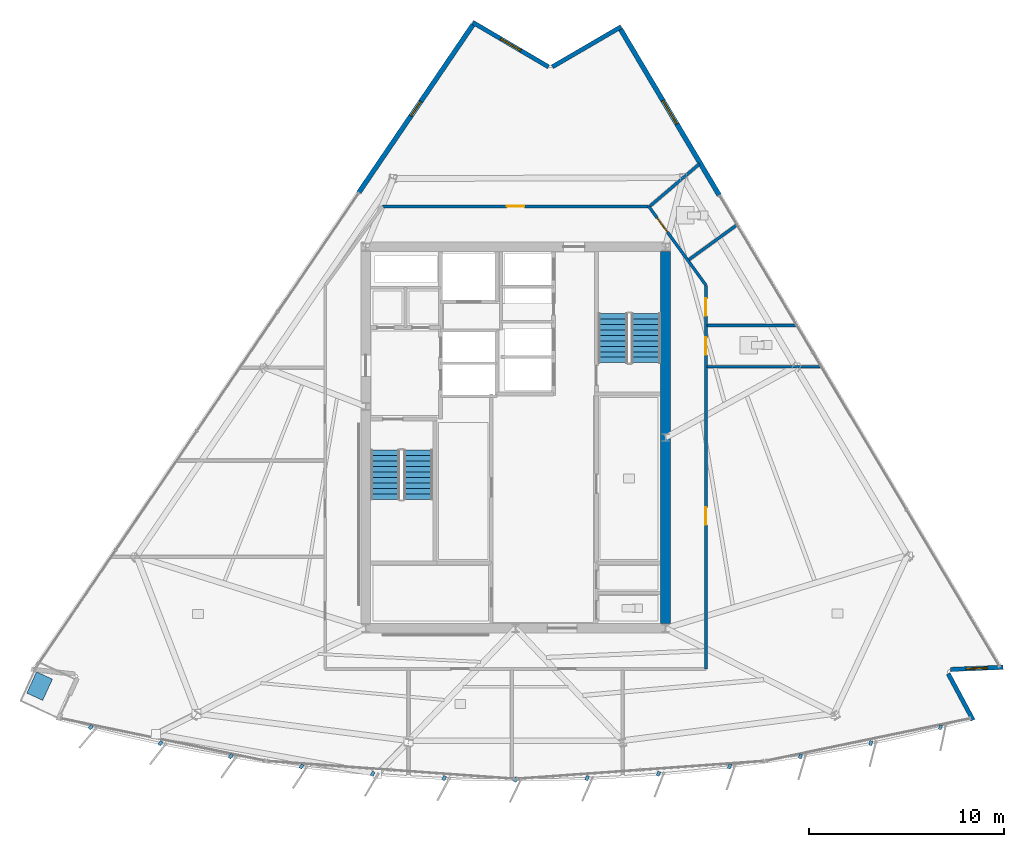
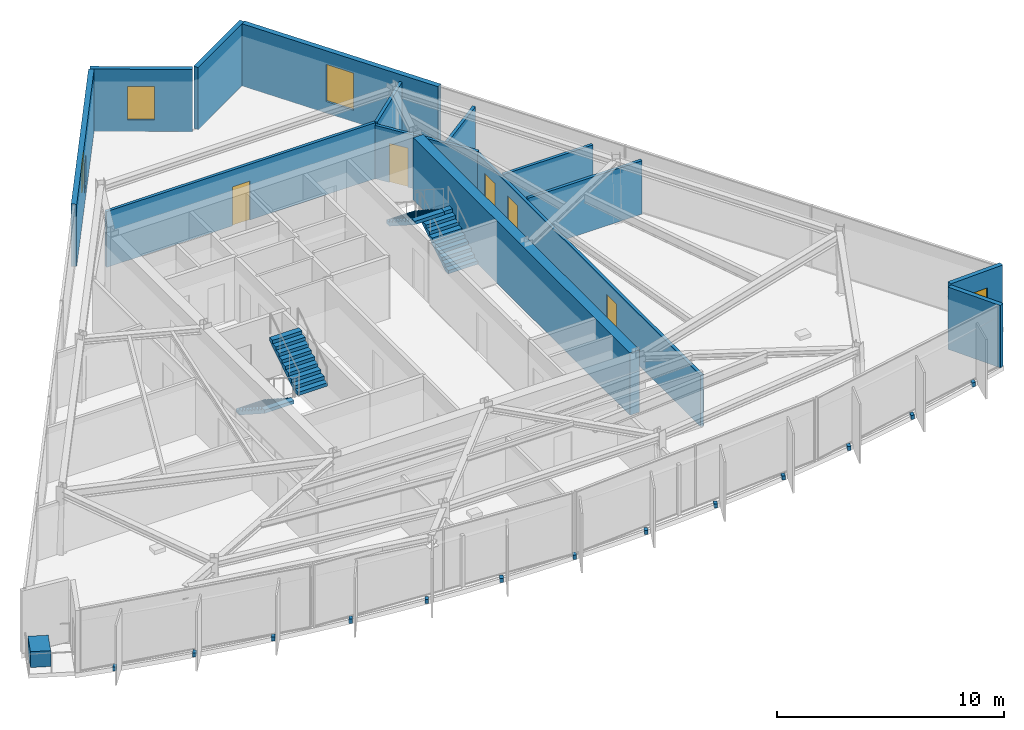
# One storey, part 8 of 13: 14 discrete accessories, 14 walls, 5 doors, 4 stair flights, 4 windows, 9 openings, 2 elements without a shape of their own.
"""IFC4 building model written with IfcOpenShell, lengths in metres."""

from ifc_helpers import new_model, si_unit, direction, frame, frame_2d, origin, origin_2d, place, context, subcontext, project, spatial, polyline, rectangle, outline, extrude, material, layer, layer_set, type_object, element, fill, aggregate, save


model = new_model("IFC4")

# Units and contexts
model_context = context("Model", 3, precision=1e-05, world=origin(), true_north=direction((0.0, 1.0)))
body_context = subcontext(model_context, "Body", "Model", "MODEL_VIEW")
ifc_project = project(units=[si_unit("LENGTHUNIT", "METRE"), si_unit("AREAUNIT", "SQUARE_METRE"), si_unit("VOLUMEUNIT", "CUBIC_METRE"), si_unit("PLANEANGLEUNIT", "RADIAN"), si_unit("MASSUNIT", "GRAM", prefix="KILO")], contexts=[model_context])

# Site, building, storey
site_placement = place(None, origin())
site = spatial("IfcSite", under=ifc_project, at=site_placement, CompositionType="ELEMENT")
building_placement = place(site_placement, origin())
building = spatial("IfcBuilding", under=site, at=building_placement, Name="Savorim Split Tower", CompositionType="ELEMENT")
storey_placement = place(building_placement, frame((0.0, 0.0, 223.5)))
storey = spatial("IfcBuildingStorey", under=building, at=storey_placement, Name="L59", CompositionType="ELEMENT", Elevation=223.5)

# Walls
ifc_material_1 = material(Name="Concrete C60/75", Category="concrete")
ifc_layer_1 = layer(ifc_material_1, 0.5)
ifc_layer_set_1 = layer_set([ifc_layer_1], Name="WAL-COR-SH500")
wall_type_1 = type_object("IfcWallType", Name="WAL-COR-SH500", PredefinedType="SHEAR", material=ifc_layer_set_1)
wall_1_placement = place(storey_placement, frame((7.699951171875, 9.949951171875, 0.0), z_axis=(0.0, 0.0, 1.0), x_axis=(0.0, -1.0, 0.0)))
element("IfcWall", 1, at=wall_1_placement, inside=storey, type_object=wall_type_1, Name="L59 Offset Core East Shear Wall", PredefinedType="SHEAR", context=body_context, shape_type="SweptSolid", body=[
    extrude(rectangle(XDim=19.099853515625, YDim=0.5, at=frame_2d((9.5498046875, 0.0))), origin(), (0.0, 0.0, 1.0), 3.35009765625),
])
ifc_material_2 = material(Name="Precast concrete C40/50", Category="concrete")
ifc_layer_2 = layer(ifc_material_2, 0.219970703125)
ifc_layer_set_2 = layer_set([ifc_layer_2], Name="WAL-EXT-CRN220")
wall_type_2 = type_object("IfcWallType", Name="WAL-EXT-CRN220", PredefinedType="SOLIDWALL", material=ifc_layer_set_2)
wall_2_placement = place(storey_placement, frame((22.22412109375, -11.72705078125, 0.0), z_axis=(0.0, 0.0, 1.0), x_axis=(0.47278184311, -0.881179509989, 0.0)))
element("IfcWall", 2, at=wall_2_placement, inside=storey, type_object=wall_type_2, Name="L59 Notched Corner Facade Wall SE1", PredefinedType="SOLIDWALL", context=body_context, shape_type="SweptSolid", body=[
    extrude(rectangle(XDim=2.70751953125, YDim=0.219970703125, at=frame_2d((1.353759765625, 0.0))), origin(), (0.0, 0.0, 1.0), 3.35009765625),
])

# Wall, opening, window
wall_3_placement = place(storey_placement, frame((25.048095703125, -11.3984375, 0.0), z_axis=(0.0, 0.0, 1.0), x_axis=(-0.999095922254, -0.042512799655, 0.0)))
wall_3 = element("IfcWall", 3, at=wall_3_placement, inside=storey, type_object=wall_type_2, Name="L59 Notched Corner Facade Wall SE", PredefinedType="SOLIDWALL", context=body_context, shape_type="SweptSolid", body=[
    extrude(rectangle(XDim=2.704833984375, YDim=0.219970703125, at=frame_2d((1.3525390625, 0.0))), origin(), (0.0, 0.0, 1.0), 3.35009765625),
])
opening_1_placement = place(wall_3_placement, frame((0.802490234375, 0.0, 0.6201171875)))
opening_1 = element("IfcOpeningElement", 4, at=opening_1_placement, cuts=wall_3, Name="Opening WN-09", PredefinedType="OPENING", context=body_context, shape_type="SweptSolid", body=[
    extrude(rectangle(XDim=1.10009765625, YDim=1.800048828125, at=frame_2d((0.550048828125, 0.89990234375))), frame((0.0, 0.119873046875, 0.0), z_axis=(0.0, -1.0, 0.0), x_axis=(1.0, 0.0, 0.0)), (0.0, 0.0, 1.0), 0.239990234375),
])
ifc_material_3 = material(Name="Low-E Operable Double Glazing", Category="glass")
window_type_1 = type_object("IfcWindowType", Name="WIN-TWR-1100x1800", PartitioningType="SINGLE_PANEL", PredefinedType="WINDOW", material=ifc_material_3)
window_1_placement = place(opening_1_placement, origin())
window_1 = element("IfcWindow", 5, at=window_1_placement, inside=storey, type_object=window_type_1, Name="L59 Operable Corner Window SE", OverallHeight=1.800048828125, OverallWidth=1.10009765625, PartitioningType="SINGLE_PANEL", PredefinedType="WINDOW", context=body_context, shape_type="SweptSolid", body=[
    extrude(rectangle(XDim=1.10009765625, YDim=1.800048828125, at=frame_2d((0.550048828125, 0.89990234375))), frame((0.0, 0.030029296875, 0.0), z_axis=(0.0, -1.0, 0.0), x_axis=(1.0, 0.0, 0.0)), (0.0, 0.0, 1.0), 0.06005859375),
])
fill(opening_1, window_1)

# Wall
wall_4_placement = place(storey_placement, frame((1.8837890625, 19.445068359375, 0.0), z_axis=(0.0, 0.0, 1.0), x_axis=(0.863969645804, 0.50354389196, 0.0)))
element("IfcWall", 6, at=wall_4_placement, inside=storey, type_object=wall_type_2, Name="L59 Notched Corner Facade Wall NE1", PredefinedType="SOLIDWALL", context=body_context, shape_type="SweptSolid", body=[
    extrude(rectangle(XDim=4.083740234375, YDim=0.219970703125, at=frame_2d((2.0419921875, 0.0))), origin(), (0.0, 0.0, 1.0), 3.35009765625),
])

# Wall, opening, window
wall_5_placement = place(storey_placement, frame((-2.196533203125, 21.731689453125, 0.0), z_axis=(0.0, 0.0, 1.0), x_axis=(0.862121926844, -0.506700881442, 0.0)))
wall_5 = element("IfcWall", 7, at=wall_5_placement, inside=storey, type_object=wall_type_2, Name="L59 Notched Corner Facade Wall N", PredefinedType="SOLIDWALL", context=body_context, shape_type="SweptSolid", body=[
    extrude(rectangle(XDim=4.51220703125, YDim=0.219970703125, at=frame_2d((2.256103515625, 0.0))), origin(), (0.0, 0.0, 1.0), 3.35009765625),
])
opening_2_placement = place(wall_5_placement, frame((1.656005859375, 0.0, 0.6201171875)))
opening_2 = element("IfcOpeningElement", 8, at=opening_2_placement, cuts=wall_5, Name="Opening WN-08", PredefinedType="OPENING", context=body_context, shape_type="SweptSolid", body=[
    extrude(rectangle(XDim=1.199951171875, YDim=1.800048828125, at=frame_2d((0.60009765625, 0.89990234375))), frame((0.0, 0.119873046875, 0.0), z_axis=(0.0, -1.0, 0.0), x_axis=(1.0, 0.0, 0.0)), (0.0, 0.0, 1.0), 0.239990234375),
])
window_type_2 = type_object("IfcWindowType", Name="WIN-TWR-1200x1800", PartitioningType="SINGLE_PANEL", PredefinedType="WINDOW", material=ifc_material_3)
window_2_placement = place(opening_2_placement, origin())
window_2 = element("IfcWindow", 9, at=window_2_placement, inside=storey, type_object=window_type_2, Name="L59 Operable Corner Window N", OverallHeight=1.800048828125, OverallWidth=1.199951171875, PartitioningType="SINGLE_PANEL", PredefinedType="WINDOW", context=body_context, shape_type="SweptSolid", body=[
    extrude(rectangle(XDim=1.199951171875, YDim=1.800048828125, at=frame_2d((0.60009765625, 0.89990234375))), frame((0.0, 0.030029296875, 0.0), z_axis=(0.0, -1.0, 0.0), x_axis=(1.0, 0.0, 0.0)), (0.0, 0.0, 1.0), 0.06005859375),
])
fill(opening_2, window_2)

ifc_layer_3 = layer(ifc_material_2, 0.25)
ifc_layer_set_3 = layer_set([ifc_layer_3], Name="WAL-EXT-SPN250")
wall_type_3 = type_object("IfcWallType", Name="WAL-EXT-SPN250", PredefinedType="SOLIDWALL", material=ifc_layer_set_3)
wall_6_placement = place(storey_placement, frame((5.3955078125, 21.374755859375, 0.0), z_axis=(0.0, 0.0, 1.0), x_axis=(0.511082771111, -0.85953150092, 0.0)))
wall_6 = element("IfcWall", 10, at=wall_6_placement, inside=storey, type_object=wall_type_3, Name="L59 East Operable Window Pier", PredefinedType="SOLIDWALL", context=body_context, shape_type="SweptSolid", body=[
    extrude(rectangle(XDim=9.91064453125, YDim=0.25, at=frame_2d((4.955322265625, 0.0))), origin(), (0.0, 0.0, 1.0), 3.35009765625),
])
opening_3_placement = place(wall_6_placement, frame((4.25537109375, 0.0, 0.6201171875)))
opening_3 = element("IfcOpeningElement", 11, at=opening_3_placement, cuts=wall_6, Name="Opening WN-07", PredefinedType="OPENING", context=body_context, shape_type="SweptSolid", body=[
    extrude(rectangle(XDim=1.39990234375, YDim=2.0, at=frame_2d((0.699951171875, 1.0))), frame((0.0, 0.135009765625, 0.0), z_axis=(0.0, -1.0, 0.0), x_axis=(1.0, 0.0, 0.0)), (0.0, 0.0, 1.0), 0.27001953125),
])
window_type_3 = type_object("IfcWindowType", Name="WIN-TWR-1400x2000", PartitioningType="SINGLE_PANEL", PredefinedType="WINDOW", material=ifc_material_3)
window_3_placement = place(opening_3_placement, origin())
window_3 = element("IfcWindow", 12, at=window_3_placement, inside=storey, type_object=window_type_3, Name="L59 East Operable Ventilation Window", OverallHeight=2.0, OverallWidth=1.39990234375, PartitioningType="SINGLE_PANEL", PredefinedType="WINDOW", context=body_context, shape_type="SweptSolid", body=[
    extrude(rectangle(XDim=1.39990234375, YDim=2.0, at=frame_2d((0.699951171875, 1.0))), frame((0.0, 0.030029296875, 0.0), z_axis=(0.0, -1.0, 0.0), x_axis=(1.0, 0.0, 0.0)), (0.0, 0.0, 1.0), 0.06005859375),
])
fill(opening_3, window_3)

wall_7_placement = place(storey_placement, frame((-8.05029296875, 12.998291015625, 0.0), z_axis=(0.0, 0.0, 1.0), x_axis=(0.562447281182, 0.826833148762, 0.0)))
wall_7 = element("IfcWall", 13, at=wall_7_placement, inside=storey, type_object=wall_type_3, Name="L59 West Operable Window Pier", PredefinedType="SOLIDWALL", context=body_context, shape_type="SweptSolid", body=[
    extrude(rectangle(XDim=10.41064453125, YDim=0.25, at=frame_2d((5.205322265625, 0.0))), origin(), (0.0, 0.0, 1.0), 3.35009765625),
])
opening_4_placement = place(wall_7_placement, frame((4.75537109375, 0.0, 0.6201171875)))
opening_4 = element("IfcOpeningElement", 14, at=opening_4_placement, cuts=wall_7, Name="Opening WN-10", PredefinedType="OPENING", context=body_context, shape_type="SweptSolid", body=[
    extrude(rectangle(XDim=0.89990234375, YDim=1.60009765625, at=frame_2d((0.449951171875, 0.800048828125))), frame((0.0, 0.135009765625, 0.0), z_axis=(0.0, -1.0, 0.0), x_axis=(1.0, 0.0, 0.0)), (0.0, 0.0, 1.0), 0.27001953125),
])
window_type_4 = type_object("IfcWindowType", Name="WIN-TWR-900x1600", PartitioningType="SINGLE_PANEL", PredefinedType="WINDOW", material=ifc_material_3)
window_4_placement = place(opening_4_placement, origin())
window_4 = element("IfcWindow", 15, at=window_4_placement, inside=storey, type_object=window_type_4, Name="L59 West Operable Ventilation Window", OverallHeight=1.60009765625, OverallWidth=0.89990234375, PartitioningType="SINGLE_PANEL", PredefinedType="WINDOW", context=body_context, shape_type="SweptSolid", body=[
    extrude(rectangle(XDim=0.89990234375, YDim=1.60009765625, at=frame_2d((0.449951171875, 0.800048828125))), frame((0.0, 0.030029296875, 0.0), z_axis=(0.0, -1.0, 0.0), x_axis=(1.0, 0.0, 0.0)), (0.0, 0.0, 1.0), 0.06005859375),
])
fill(opening_4, window_4)

# Wall, opening, door
ifc_material_4 = material(Name="Acoustic Gypsum Partition Board")
ifc_layer_4 = layer(ifc_material_4, 0.14990234375)
ifc_layer_set_4 = layer_set([ifc_layer_4], Name="WAL-PAR-150")
wall_type_4 = type_object("IfcWallType", Name="WAL-PAR-150", PredefinedType="PARTITIONING", material=ifc_layer_set_4)
wall_8_placement = place(storey_placement, frame((-6.8408203125, 12.280029296875, 0.0), z_axis=(0.0, 0.0, 1.0), x_axis=(1.0, 0.0, 0.0)))
wall_8 = element("IfcWall", 16, at=wall_8_placement, inside=storey, type_object=wall_type_4, Name="L59 Partition W-L59-COR-03", PredefinedType="PARTITIONING", context=body_context, shape_type="SweptSolid", body=[
    extrude(rectangle(XDim=13.681640625, YDim=0.14990234375, at=frame_2d((6.8408203125, 0.0))), origin(), (0.0, 0.0, 1.0), 3.0048828125),
])
opening_5_placement = place(wall_8_placement, frame((6.390869140625, 0.0, 0.0)))
opening_5 = element("IfcOpeningElement", 17, at=opening_5_placement, cuts=wall_8, Name="Opening DI-06", PredefinedType="OPENING", context=body_context, shape_type="SweptSolid", body=[
    extrude(rectangle(XDim=0.89990234375, YDim=2.10009765625, at=frame_2d((0.449951171875, 1.050048828125))), frame((0.0, 0.0849609375, 0.0), z_axis=(0.0, -1.0, 0.0), x_axis=(1.0, 0.0, 0.0)), (0.0, 0.0, 1.0), 0.169921875),
])
ifc_material_5 = material(Name="Timber Fire Door Leaf", Category="wood")
door_type_1 = type_object("IfcDoorType", Name="DOR-FIR-900", OperationType="NOTDEFINED", PredefinedType="DOOR", material=ifc_material_5)
door_1_placement = place(opening_5_placement, origin())
door_1 = element("IfcDoor", 18, at=door_1_placement, inside=storey, type_object=door_type_1, Name="DR-L59-RM09 - L59 Co-Working Commons Entry Door", OperationType="SINGLE_SWING_RIGHT", OverallHeight=2.10009765625, OverallWidth=0.89990234375, PredefinedType="DOOR", context=body_context, shape_type="SweptSolid", body=[
    extrude(rectangle(XDim=0.89990234375, YDim=2.10009765625, at=frame_2d((0.449951171875, 1.050048828125))), frame((0.0, 0.02490234375, 0.0), z_axis=(0.0, -1.0, 0.0), x_axis=(1.0, 0.0, 0.0)), (0.0, 0.0, 1.0), 0.050048828125),
])
fill(opening_5, door_1)

wall_9_placement = place(storey_placement, frame((6.8408203125, 12.280029296875, 0.0), z_axis=(0.0, 0.0, 1.0), x_axis=(0.586956386413, -0.809618552436, 0.0)))
wall_9 = element("IfcWall", 19, at=wall_9_placement, inside=storey, type_object=wall_type_4, Name="L59 Partition W-L59-COR-04", PredefinedType="PARTITIONING", context=body_context, shape_type="SweptSolid", body=[
    extrude(rectangle(XDim=5.007568359375, YDim=0.14990234375, at=frame_2d((2.50390625, 0.0))), origin(), (0.0, 0.0, 1.0), 2.875),
])
opening_6_placement = place(wall_9_placement, frame((0.734130859375, 0.0, 0.0)))
opening_6 = element("IfcOpeningElement", 20, at=opening_6_placement, cuts=wall_9, Name="Opening DI-11", PredefinedType="OPENING", context=body_context, shape_type="SweptSolid", body=[
    extrude(rectangle(XDim=0.89990234375, YDim=2.10009765625, at=frame_2d((0.449951171875, 1.050048828125))), frame((0.0, 0.0849609375, 0.0), z_axis=(0.0, -1.0, 0.0), x_axis=(1.0, 0.0, 0.0)), (0.0, 0.0, 1.0), 0.169921875),
])
ifc_material_6 = material(Name="Oak Veneer Acoustic Door")
door_type_2 = type_object("IfcDoorType", Name="DOR-WC-900", OperationType="NOTDEFINED", PredefinedType="DOOR", material=ifc_material_6)
door_2_placement = place(opening_6_placement, origin())
door_2 = element("IfcDoor", 21, at=door_2_placement, inside=storey, type_object=door_type_2, Name="DR-L59-RM08 - L59 Shared Bathroom Entry Door", OperationType="SINGLE_SWING_LEFT", OverallHeight=2.10009765625, OverallWidth=0.89990234375, PredefinedType="DOOR", context=body_context, shape_type="SweptSolid", body=[
    extrude(rectangle(XDim=0.89990234375, YDim=2.10009765625, at=frame_2d((0.449951171875, 1.050048828125))), frame((0.0, 0.02490234375, 0.0), z_axis=(0.0, -1.0, 0.0), x_axis=(1.0, 0.0, 0.0)), (0.0, 0.0, 1.0), 0.050048828125),
])
fill(opening_6, door_2)

# Wall, openings, doors
wall_10_placement = place(storey_placement, frame((9.780029296875, 8.225830078125, 0.0), z_axis=(0.0, 0.0, 1.0), x_axis=(0.0, -1.0, 0.0)))
wall_10 = element("IfcWall", 22, at=wall_10_placement, inside=storey, type_object=wall_type_4, Name="L59 Partition W-L59-COR-05", PredefinedType="PARTITIONING", context=body_context, shape_type="SweptSolid", body=[
    extrude(rectangle(XDim=19.705810546875, YDim=0.14990234375, at=frame_2d((9.85302734375, 0.0))), origin(), (0.0, 0.0, 1.0), 2.77490234375),
])
opening_7_placement = place(wall_10_placement, frame((11.40673828125, 0.0, 0.0)))
opening_7 = element("IfcOpeningElement", 23, at=opening_7_placement, cuts=wall_10, Name="Opening DI-06", PredefinedType="OPENING", context=body_context, shape_type="SweptSolid", body=[
    extrude(rectangle(XDim=0.89990234375, YDim=2.10009765625, at=frame_2d((0.449951171875, 1.050048828125))), frame((0.0, 0.0849609375, 0.0), z_axis=(0.0, -1.0, 0.0), x_axis=(1.0, 0.0, 0.0)), (0.0, 0.0, 1.0), 0.169921875),
])
opening_8_placement = place(wall_10_placement, frame((2.672119140625, 0.0, 0.0)))
opening_8 = element("IfcOpeningElement", 24, at=opening_8_placement, cuts=wall_10, Name="Opening DI-11", PredefinedType="OPENING", context=body_context, shape_type="SweptSolid", body=[
    extrude(rectangle(XDim=0.89990234375, YDim=2.10009765625, at=frame_2d((0.449951171875, 1.050048828125))), frame((0.0, 0.0849609375, 0.0), z_axis=(0.0, -1.0, 0.0), x_axis=(1.0, 0.0, 0.0)), (0.0, 0.0, 1.0), 0.169921875),
])
opening_9_placement = place(wall_10_placement, frame((0.668212890625, 0.0, 0.0)))
opening_9 = element("IfcOpeningElement", 25, at=opening_9_placement, cuts=wall_10, Name="Opening DI-06", PredefinedType="OPENING", context=body_context, shape_type="SweptSolid", body=[
    extrude(rectangle(XDim=0.89990234375, YDim=2.10009765625, at=frame_2d((0.449951171875, 1.050048828125))), frame((0.0, 0.0849609375, 0.0), z_axis=(0.0, -1.0, 0.0), x_axis=(1.0, 0.0, 0.0)), (0.0, 0.0, 1.0), 0.169921875),
])
door_3_placement = place(opening_7_placement, origin())
door_3 = element("IfcDoor", 26, at=door_3_placement, inside=storey, type_object=door_type_1, Name="DR-L59-RM05 - L59 Community Laundry Room Entry Door", OperationType="SINGLE_SWING_RIGHT", OverallHeight=2.10009765625, OverallWidth=0.89990234375, PredefinedType="DOOR", context=body_context, shape_type="SweptSolid", body=[
    extrude(rectangle(XDim=0.89990234375, YDim=2.10009765625, at=frame_2d((0.449951171875, 1.050048828125))), frame((0.0, 0.02490234375, 0.0), z_axis=(0.0, -1.0, 0.0), x_axis=(1.0, 0.0, 0.0)), (0.0, 0.0, 1.0), 0.050048828125),
])
fill(opening_7, door_3)
door_4_placement = place(opening_9_placement, origin())
door_4 = element("IfcDoor", 27, at=door_4_placement, inside=storey, type_object=door_type_1, Name="DR-L59-RM07 - L59 Co-Living Bedroom Entry Door", OperationType="SINGLE_SWING_RIGHT", OverallHeight=2.10009765625, OverallWidth=0.89990234375, PredefinedType="DOOR", context=body_context, shape_type="SweptSolid", body=[
    extrude(rectangle(XDim=0.89990234375, YDim=2.10009765625, at=frame_2d((0.449951171875, 1.050048828125))), frame((0.0, 0.02490234375, 0.0), z_axis=(0.0, -1.0, 0.0), x_axis=(1.0, 0.0, 0.0)), (0.0, 0.0, 1.0), 0.050048828125),
])
fill(opening_9, door_4)
door_5_placement = place(opening_8_placement, origin())
door_5 = element("IfcDoor", 28, at=door_5_placement, inside=storey, type_object=door_type_2, Name="DR-L59-RM06 - L59 Shared Bathroom Entry Door", OperationType="SINGLE_SWING_LEFT", OverallHeight=2.10009765625, OverallWidth=0.89990234375, PredefinedType="DOOR", context=body_context, shape_type="SweptSolid", body=[
    extrude(rectangle(XDim=0.89990234375, YDim=2.10009765625, at=frame_2d((0.449951171875, 1.050048828125))), frame((0.0, 0.02490234375, 0.0), z_axis=(0.0, -1.0, 0.0), x_axis=(1.0, 0.0, 0.0)), (0.0, 0.0, 1.0), 0.050048828125),
])
fill(opening_8, door_5)

# Walls
wall_11_placement = place(storey_placement, frame((9.840087890625, 4.040283203125, 0.0), z_axis=(0.0, 0.0, 1.0), x_axis=(1.0, 0.0, 0.0)))
element("IfcWall", 29, at=wall_11_placement, inside=storey, type_object=wall_type_4, Name="L59 Partition W-L59-PRAD06", PredefinedType="PARTITIONING", context=body_context, shape_type="SweptSolid", body=[
    extrude(rectangle(XDim=5.804931640625, YDim=0.14990234375, at=frame_2d((2.90234375, 0.0))), origin(), (0.0, 0.0, 1.0), 2.875),
])
wall_12_placement = place(storey_placement, frame((6.905029296875, 12.29248046875, 0.0), z_axis=(0.0, 0.0, 1.0), x_axis=(0.760533713233, 0.649298445274, 0.0)))
element("IfcWall", 30, at=wall_12_placement, inside=storey, type_object=wall_type_4, Name="L59 Partition W-L59-PRAD07", PredefinedType="PARTITIONING", context=body_context, shape_type="SweptSolid", body=[
    extrude(rectangle(XDim=3.3427734375, YDim=0.14990234375, at=frame_2d((1.67138671875, 0.0))), origin(), (0.0, 0.0, 1.0), 2.97509765625),
])
wall_13_placement = place(storey_placement, frame((8.90283203125, 9.5380859375, 0.0), z_axis=(0.0, 0.0, 1.0), x_axis=(0.809591090344, 0.586994264397, 0.0)))
element("IfcWall", 31, at=wall_13_placement, inside=storey, type_object=wall_type_4, Name="L59 Partition W-L59-SUB03", PredefinedType="PARTITIONING", context=body_context, shape_type="SweptSolid", body=[
    extrude(rectangle(XDim=2.99755859375, YDim=0.14990234375, at=frame_2d((1.498779296875, 0.0))), origin(), (0.0, 0.0, 1.0), 2.875),
])
wall_14_placement = place(storey_placement, frame((9.840087890625, 6.16748046875, 0.0), z_axis=(0.0, 0.0, 1.0), x_axis=(1.0, 0.0, 0.0)))
element("IfcWall", 32, at=wall_14_placement, inside=storey, type_object=wall_type_4, Name="L59 Partition W-L59-SUB04", PredefinedType="PARTITIONING", context=body_context, shape_type="SweptSolid", body=[
    extrude(rectangle(XDim=4.539794921875, YDim=0.14990234375, at=frame_2d((2.27001953125, 0.0))), origin(), (0.0, 0.0, 1.0), 2.875),
])

# Stair, stair flights
ifc_material_7 = material(Name="Concrete C50/60", Category="concrete")
stair_type = type_object("IfcStairType", Name="STR-DOG-3600", PredefinedType="HALF_TURN_STAIR", material=ifc_material_7)
stair_1_placement = place(storey_placement, origin())
stair_1 = element("IfcStair", 33, at=stair_1_placement, inside=storey, type_object=stair_type, Name="L59 Core Protected Exit Stair ST-1", PredefinedType="HALF_TURN_STAIR")
stair_flight_type = type_object("IfcStairFlightType", Name="SFL-DOG-3600", PredefinedType="STRAIGHT", material=ifc_material_7)
stair_flight_1_placement = place(storey_placement, frame((-6.699951171875, -0.25, 0.0), z_axis=(0.0, 0.0, 1.0), x_axis=(0.0, -1.0, 0.0)))
stair_flight_1 = element("IfcStairFlight", 34, at=stair_flight_1_placement, type_object=stair_flight_type, Name="ST-1 flight 1", NumberOfRisers=10, NumberOfTreads=9, PredefinedType="STRAIGHT", RiserHeight=0.18, TreadLength=0.28, context=body_context, shape_type="SweptSolid", body=[
    extrude(outline(polyline([(0.0, 0.0), (0.0, 0.179931640625), (0.280029296875, 0.179931640625), (0.280029296875, 0.360107421875), (0.56005859375, 0.360107421875), (0.56005859375, 0.5400390625), (0.840087890625, 0.5400390625), (0.840087890625, 0.719970703125), (1.1201171875, 0.719970703125), (1.1201171875, 0.89990234375), (1.39990234375, 0.89990234375), (1.39990234375, 1.080078125), (1.679931640625, 1.080078125), (1.679931640625, 1.260009765625), (1.9599609375, 1.260009765625), (1.9599609375, 1.43994140625), (2.239990234375, 1.43994140625), (2.239990234375, 1.6201171875), (2.52001953125, 1.6201171875), (2.52001953125, 1.800048828125), (2.52001953125, 1.44189453125), (0.277099609375, 0.0), (0.0, 0.0)])), frame((0.0, 0.75, 0.0), z_axis=(0.0, -1.0, 0.0), x_axis=(1.0, 0.0, 0.0)), (0.0, 0.0, 1.0), 1.5),
])
stair_flight_2_placement = place(storey_placement, frame((-5.0, -2.77001953125, 1.800048828125), z_axis=(0.0, 0.0, 1.0), x_axis=(0.0, 1.0, 0.0)))
stair_flight_2 = element("IfcStairFlight", 35, at=stair_flight_2_placement, type_object=stair_flight_type, Name="ST-1 flight 2", NumberOfRisers=10, NumberOfTreads=9, PredefinedType="STRAIGHT", RiserHeight=0.18, TreadLength=0.28, context=body_context, shape_type="SweptSolid", body=[
    extrude(outline(polyline([(0.0, 0.0), (0.0, 0.179931640625), (0.280029296875, 0.179931640625), (0.280029296875, 0.360107421875), (0.56005859375, 0.360107421875), (0.56005859375, 0.5400390625), (0.840087890625, 0.5400390625), (0.840087890625, 0.719970703125), (1.1201171875, 0.719970703125), (1.1201171875, 0.89990234375), (1.39990234375, 0.89990234375), (1.39990234375, 1.080078125), (1.679931640625, 1.080078125), (1.679931640625, 1.260009765625), (1.9599609375, 1.260009765625), (1.9599609375, 1.43994140625), (2.239990234375, 1.43994140625), (2.239990234375, 1.6201171875), (2.52001953125, 1.6201171875), (2.52001953125, 1.800048828125), (2.52001953125, 1.44189453125), (0.277099609375, 0.0), (0.0, 0.0)])), frame((0.0, 0.75, 0.0), z_axis=(0.0, -1.0, 0.0), x_axis=(1.0, 0.0, 0.0)), (0.0, 0.0, 1.0), 1.5),
])
aggregate(stair_1, [stair_flight_1, stair_flight_2])

stair_2_placement = place(storey_placement, origin())
stair_2 = element("IfcStair", 36, at=stair_2_placement, inside=storey, type_object=stair_type, Name="L59 Core Protected Exit Stair ST-2", PredefinedType="HALF_TURN_STAIR")
stair_flight_3_placement = place(storey_placement, frame((6.699951171875, 4.25, 0.0), z_axis=(0.0, 0.0, 1.0), x_axis=(0.0, 1.0, 0.0)))
stair_flight_3 = element("IfcStairFlight", 37, at=stair_flight_3_placement, type_object=stair_flight_type, Name="ST-2 flight 1", NumberOfRisers=10, NumberOfTreads=9, PredefinedType="STRAIGHT", RiserHeight=0.18, TreadLength=0.28, context=body_context, shape_type="SweptSolid", body=[
    extrude(outline(polyline([(0.0, 0.0), (0.0, 0.179931640625), (0.280029296875, 0.179931640625), (0.280029296875, 0.360107421875), (0.56005859375, 0.360107421875), (0.56005859375, 0.5400390625), (0.840087890625, 0.5400390625), (0.840087890625, 0.719970703125), (1.1201171875, 0.719970703125), (1.1201171875, 0.89990234375), (1.39990234375, 0.89990234375), (1.39990234375, 1.080078125), (1.679931640625, 1.080078125), (1.679931640625, 1.260009765625), (1.9599609375, 1.260009765625), (1.9599609375, 1.43994140625), (2.239990234375, 1.43994140625), (2.239990234375, 1.6201171875), (2.52001953125, 1.6201171875), (2.52001953125, 1.800048828125), (2.52001953125, 1.44189453125), (0.277099609375, 0.0), (0.0, 0.0)])), frame((0.0, 0.75, 0.0), z_axis=(0.0, -1.0, 0.0), x_axis=(1.0, 0.0, 0.0)), (0.0, 0.0, 1.0), 1.5),
])
stair_flight_4_placement = place(storey_placement, frame((5.0, 6.77001953125, 1.800048828125), z_axis=(0.0, 0.0, 1.0), x_axis=(0.0, -1.0, 0.0)))
stair_flight_4 = element("IfcStairFlight", 38, at=stair_flight_4_placement, type_object=stair_flight_type, Name="ST-2 flight 2", NumberOfRisers=10, NumberOfTreads=9, PredefinedType="STRAIGHT", RiserHeight=0.18, TreadLength=0.28, context=body_context, shape_type="SweptSolid", body=[
    extrude(outline(polyline([(0.0, 0.0), (0.0, 0.179931640625), (0.280029296875, 0.179931640625), (0.280029296875, 0.360107421875), (0.56005859375, 0.360107421875), (0.56005859375, 0.5400390625), (0.840087890625, 0.5400390625), (0.840087890625, 0.719970703125), (1.1201171875, 0.719970703125), (1.1201171875, 0.89990234375), (1.39990234375, 0.89990234375), (1.39990234375, 1.080078125), (1.679931640625, 1.080078125), (1.679931640625, 1.260009765625), (1.9599609375, 1.260009765625), (1.9599609375, 1.43994140625), (2.239990234375, 1.43994140625), (2.239990234375, 1.6201171875), (2.52001953125, 1.6201171875), (2.52001953125, 1.800048828125), (2.52001953125, 1.44189453125), (0.277099609375, 0.0), (0.0, 0.0)])), frame((0.0, 0.75, 0.0), z_axis=(0.0, -1.0, 0.0), x_axis=(1.0, 0.0, 0.0)), (0.0, 0.0, 1.0), 1.5),
])
aggregate(stair_2, [stair_flight_3, stair_flight_4])

# Discrete accessories
ifc_material_8 = material(Name="Steel S355", Category="steel")
discrete_accessory_type_1 = type_object("IfcDiscreteAccessoryType", Name="ACC-BRK-FIN", PredefinedType="BRACKET", material=ifc_material_8)
for number, where, z_axis, x_axis, name in (
    (39, (-21.830078125, -14.47900390625, -0.18994140625), (0.0, 0.0, 1.0), (-0.643719022682, -0.765261928909, 0.0), "L59 Fin Slab-Edge Cleat Bracket 01"),
    (40, (-18.247802734375, -15.29931640625, -0.18994140625), (0.0, 0.0, 1.0), (-0.611868076908, -0.790959832394, 0.0), "L59 Fin Slab-Edge Cleat Bracket 02"),
    (41, (-14.635009765625, -15.97216796875, -0.18994140625), (0.0, 0.0, 1.0), (-0.578993757737, -0.815331974414, 0.0), "L59 Fin Slab-Edge Cleat Bracket 03"),
    (42, (-10.997802734375, -16.496826171875, -0.18994140625), (0.0, 0.0, 1.0), (-0.545148321708, -0.838339613366, 0.0), "L59 Fin Slab-Edge Cleat Bracket 04"),
    (43, (-7.342041015625, -16.8720703125, -0.18994140625), (0.0, 0.0, 1.0), (-0.510391336723, -0.859942255851, 0.0), "L59 Fin Slab-Edge Cleat Bracket 05"),
    (44, (-3.674072265625, -17.09765625, -0.18994140625), (0.0, 0.0, 1.0), (-0.474778051978, -0.880105562623, 0.0), "L59 Fin Slab-Edge Cleat Bracket 06"),
    (45, (0.0, -17.1728515625, -0.18994140625), (0.0, 0.0, 1.0), (-0.438371146789, -0.898794046299, 0.0), "L59 Fin Slab-Edge Cleat Bracket 07"),
    (46, (3.674072265625, -17.09765625, -0.18994140625), (0.0, 0.0, 1.0), (-0.401230091723, -0.915977299662, 0.0), "L59 Fin Slab-Edge Cleat Bracket 08"),
    (47, (7.342041015625, -16.8720703125, -0.18994140625), (0.0, 0.0, 1.0), (-0.363415461732, -0.931627179817, 0.0), "L59 Fin Slab-Edge Cleat Bracket 09"),
    (48, (10.997802734375, -16.496826171875, -0.18994140625), (0.0, 0.0, 1.0), (-0.324993810493, -0.945716143005, 0.0), "L59 Fin Slab-Edge Cleat Bracket 10"),
    (49, (14.635009765625, -15.97216796875, -0.18994140625), (0.0, 0.0, 1.0), (-0.286026212504, -0.958221793616, 0.0), "L59 Fin Slab-Edge Cleat Bracket 11"),
    (50, (18.247802734375, -15.29931640625, -0.18994140625), (0.0, 0.0, 1.0), (-0.246581250663, -0.969122121727, 0.0), "L59 Fin Slab-Edge Cleat Bracket 12"),
    (51, (21.830078125, -14.47900390625, -0.18994140625), (0.0, 0.0, 1.0), (-0.206721626106, -0.978399800337, 0.0), "L59 Fin Slab-Edge Cleat Bracket 13"),
):
    element("IfcDiscreteAccessory", number, at=place(storey_placement, frame(where, z_axis=z_axis, x_axis=x_axis)), inside=storey, type_object=discrete_accessory_type_1, Name=name, PredefinedType="BRACKET", context=body_context, shape_type="SweptSolid", body=[
        extrude(rectangle(XDim=0.239990234375, YDim=0.159912109375, at=origin_2d()), origin(), (0.0, 0.0, 1.0), 0.219970703125),
    ])
ifc_material_9 = material(Name="Architectural Precast Planter Concrete C40/50", Category="concrete")
discrete_accessory_type_2 = type_object("IfcDiscreteAccessoryType", Name="ACC-PLN-TREE", PredefinedType="USERDEFINED", material=ifc_material_9)
discrete_accessory_placement = place(storey_placement, frame((-24.455322265625, -12.369140625, 0.0), z_axis=(0.0, 0.0, 1.0), x_axis=(-0.417518200908, -0.908668559988, 0.0)))
element("IfcDiscreteAccessory", 52, at=discrete_accessory_placement, inside=storey, type_object=discrete_accessory_type_2, Name="L59 Balcony Precast Tree Planter SW", ObjectType="PLANTER", PredefinedType="USERDEFINED", context=body_context, shape_type="SweptSolid", body=[
    extrude(rectangle(XDim=1.199951171875, YDim=0.89990234375, at=origin_2d()), origin(), (0.0, 0.0, 1.0), 0.85009765625),
])

save(model, "model.ifc")
